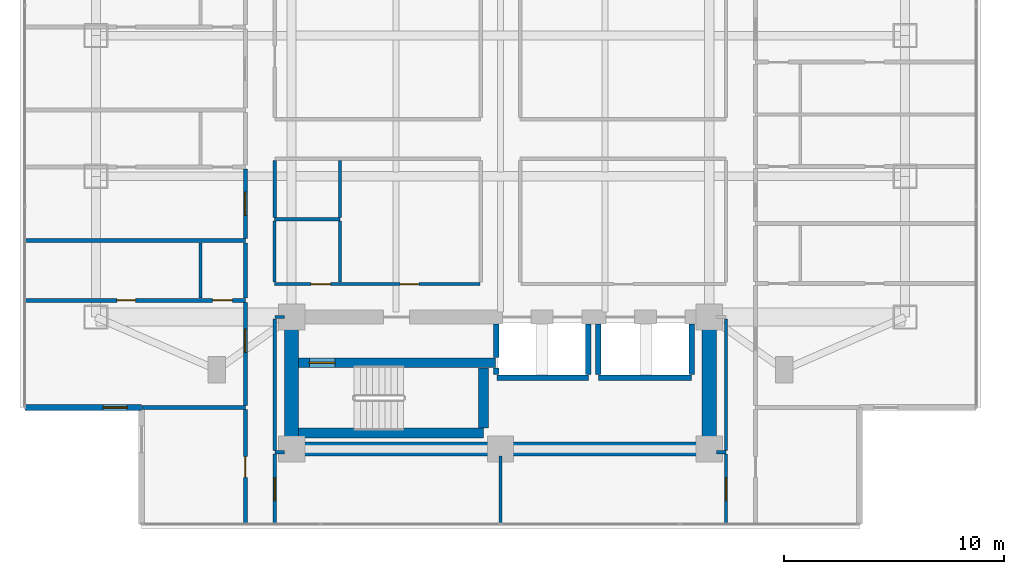
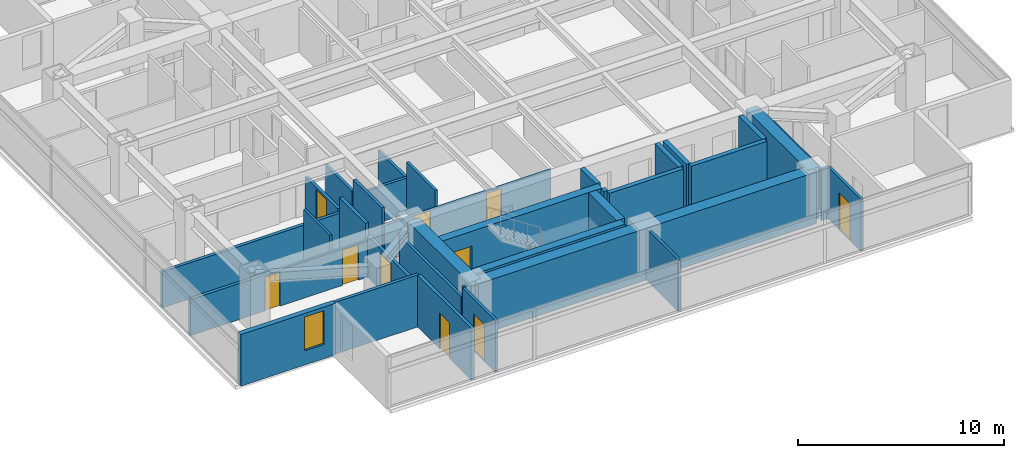
# One storey, part 12 of 25: 36 walls, 10 doors, 1 window, 11 openings.
"""IFC4 building model written with IfcOpenShell, lengths in metres."""

from ifc_helpers import new_model, si_unit, direction, frame, frame_2d, origin, place, context, subcontext, project, spatial, rectangle, extrude, material, layer, layer_set, type_object, element, fill, save


model = new_model("IFC4")

# Units and contexts
model_context = context("Model", 3, precision=1e-05, world=origin(), true_north=direction((0.0, 1.0)))
body_context = subcontext(model_context, "Body", "Model", "MODEL_VIEW")
ifc_project = project(units=[si_unit("LENGTHUNIT", "METRE"), si_unit("AREAUNIT", "SQUARE_METRE"), si_unit("VOLUMEUNIT", "CUBIC_METRE"), si_unit("PLANEANGLEUNIT", "RADIAN"), si_unit("MASSUNIT", "GRAM", prefix="KILO")], contexts=[model_context])

# Site, building, storey
site_placement = place(None, origin())
site = spatial("IfcSite", under=ifc_project, at=site_placement, CompositionType="ELEMENT")
building_placement = place(site_placement, origin())
building = spatial("IfcBuilding", under=site, at=building_placement, Name="Mirazonda Arch Towers", CompositionType="ELEMENT")
storey_placement = place(building_placement, frame((0.0, 0.0, 104.89990234375)))
storey = spatial("IfcBuildingStorey", under=building, at=storey_placement, Name="L29", CompositionType="ELEMENT", Elevation=104.89990234375)

# Wall
ifc_material_1 = material(Name="Concrete C50/60", Category="concrete")
ifc_layer_1 = layer(ifc_material_1, 0.449951171875, Name="WALL-CORE-450")
ifc_layer_set_1 = layer_set([ifc_layer_1], Name="Concrete C50/60")
wall_type_1 = type_object("IfcWallType", Name="WALL-CORE-450", PredefinedType="SHEAR", material=ifc_layer_set_1)
wall_1_placement = place(storey_placement, frame((11.320068359375, 13.1201171875, 0.0), z_axis=(0.0, 0.0, 1.0), x_axis=(1.0, 0.0, 0.0)))
element("IfcWall", 1, at=wall_1_placement, inside=storey, type_object=wall_type_1, Name="L29 Stair Core Shear Wall 003", PredefinedType="SHEAR", context=body_context, shape_type="SweptSolid", body=[
    extrude(rectangle(XDim=8.409912109375, YDim=0.449951171875, at=frame_2d((4.205078125, 0.0))), origin(), (0.0, 0.0, 1.0), 3.080078125),
])

# Wall, opening, door
wall_2_placement = place(storey_placement, frame((11.320068359375, 16.320068359375, 0.0), z_axis=(0.0, 0.0, 1.0), x_axis=(1.0, 0.0, 0.0)))
wall_2 = element("IfcWall", 2, at=wall_2_placement, inside=storey, type_object=wall_type_1, Name="L29 Stair Core Shear Wall 008", PredefinedType="SHEAR", context=body_context, shape_type="SweptSolid", body=[
    extrude(rectangle(XDim=8.9599609375, YDim=0.449951171875, at=frame_2d((4.47998046875, 0.0))), origin(), (0.0, 0.0, 1.0), 3.080078125),
])
opening_1_placement = place(wall_2_placement, frame((0.4951171875, 0.0, 0.0)))
opening_1 = element("IfcOpeningElement", 3, at=opening_1_placement, cuts=wall_2, Name="Opening DR-135", PredefinedType="OPENING", context=body_context, shape_type="SweptSolid", body=[
    extrude(rectangle(XDim=1.14990234375, YDim=2.199951171875, at=frame_2d((0.574951171875, 1.10009765625))), frame((0.0, 0.23486328125, 0.0), z_axis=(0.0, -1.0, 0.0), x_axis=(1.0, 0.0, 0.0)), (0.0, 0.0, 1.0), 0.469970703125),
])
ifc_material_2 = material(Name="Architectural Brushed Steel S355", Category="steel")
door_type_1 = type_object("IfcDoorType", Name="DOOR-STAIR-FD90-1150", OperationType="NOTDEFINED", PredefinedType="DOOR", material=ifc_material_2)
door_1_placement = place(opening_1_placement, origin())
door_1 = element("IfcDoor", 4, at=door_1_placement, inside=storey, type_object=door_type_1, Name="L29 Protected Exit Stair South Door", OperationType="SINGLE_SWING_LEFT", OverallHeight=2.199951171875, OverallWidth=1.14990234375, PredefinedType="DOOR", context=body_context, shape_type="SweptSolid", body=[
    extrude(rectangle(XDim=1.14990234375, YDim=2.199951171875, at=frame_2d((0.574951171875, 1.10009765625))), frame((0.0, 0.02490234375, 0.0), z_axis=(0.0, -1.0, 0.0), x_axis=(1.0, 0.0, 0.0)), (0.0, 0.0, 1.0), 0.050048828125),
])
fill(opening_1, door_1)

# Walls
wall_3_placement = place(storey_placement, frame((19.72998046875, 13.35498046875, 0.0), z_axis=(0.0, 0.0, 1.0), x_axis=(0.0, 1.0, 0.0)))
element("IfcWall", 5, at=wall_3_placement, inside=storey, type_object=wall_type_1, Name="L29 Stair Core Shear Wall 095", PredefinedType="SHEAR", context=body_context, shape_type="SweptSolid", body=[
    extrude(rectangle(XDim=2.72998046875, YDim=0.449951171875, at=frame_2d((1.364990234375, 0.0))), origin(), (0.0, 0.0, 1.0), 3.080078125),
])
ifc_material_3 = material(Name="Concrete C60/75", Category="concrete")
ifc_layer_2 = layer(ifc_material_3, 0.64990234375, Name="WALL-CORE-650")
ifc_layer_set_2 = layer_set([ifc_layer_2], Name="Concrete C60/75")
wall_type_2 = type_object("IfcWallType", Name="WALL-CORE-650", PredefinedType="SHEAR", material=ifc_layer_set_2)
wall_4_placement = place(storey_placement, frame((11.0, 12.39990234375, 0.0), z_axis=(0.0, 0.0, 1.0), x_axis=(1.0, 0.0, 0.0)))
element("IfcWall", 6, at=wall_4_placement, inside=storey, type_object=wall_type_2, Name="L29 T1S-S Core Shear Wall", PredefinedType="SHEAR", context=body_context, shape_type="SweptSolid", body=[
    extrude(rectangle(XDim=19.0, YDim=0.64990234375, at=frame_2d((9.5, 0.0))), origin(), (0.0, 0.0, 1.0), 3.080078125),
])
for number, where, z_axis, x_axis, name in (
    (7, (11.0, 12.39990234375, 0.0), (0.0, 0.0, 1.0), (0.0, 1.0, 0.0), "L29 T1S-W Core Shear Wall"),
    (8, (30.0, 12.39990234375, 0.0), (0.0, 0.0, 1.0), (0.0, 1.0, 0.0), "L29 T1S-E Core Shear Wall"),
):
    element("IfcWall", number, at=place(storey_placement, frame(where, z_axis=z_axis, x_axis=x_axis)), inside=storey, type_object=wall_type_2, Name=name, PredefinedType="SHEAR", context=body_context, shape_type="SweptSolid", body=[
        extrude(rectangle(XDim=6.0, YDim=0.64990234375, at=frame_2d((3.0, 0.0))), origin(), (0.0, 0.0, 1.0), 3.080078125),
    ])

# Wall, opening, window
ifc_material_4 = material(Name="Precast Concrete C40/50", Category="concrete")
ifc_layer_3 = layer(ifc_material_4, 0.280029296875, Name="WALL-EXT-WALL-280")
ifc_layer_set_3 = layer_set([ifc_layer_3], Name="Precast Concrete C40/50")
wall_type_3 = type_object("IfcWallType", Name="WALL-EXT-WALL-280", PredefinedType="SOLIDWALL", material=ifc_layer_set_3)
wall_5_placement = place(storey_placement, frame((-1.1298828125, 14.284912109375, 0.0), z_axis=(0.0, 0.0, 1.0), x_axis=(1.0, 0.0, 0.0)))
wall_5 = element("IfcWall", 9, at=wall_5_placement, inside=storey, type_object=wall_type_3, Name="L29 T1 Corner Notch Return Wall WL-L29-T1-CSW2", PredefinedType="SOLIDWALL", context=body_context, shape_type="SweptSolid", body=[
    extrude(rectangle(XDim=5.304931640625, YDim=0.280029296875, at=frame_2d((2.65234375, 0.0))), origin(), (0.0, 0.0, 1.0), 3.06005859375),
])
opening_2_placement = place(wall_5_placement, frame((3.554931640625, 0.0, 0.85009765625)))
opening_2 = element("IfcOpeningElement", 10, at=opening_2_placement, cuts=wall_5, Name="Opening WN-108", PredefinedType="OPENING", context=body_context, shape_type="SweptSolid", body=[
    extrude(rectangle(XDim=1.10009765625, YDim=2.0, at=frame_2d((0.550048828125, 1.0))), frame((0.0, 0.14990234375, 0.0), z_axis=(0.0, -1.0, 0.0), x_axis=(1.0, 0.0, 0.0)), (0.0, 0.0, 1.0), 0.300048828125),
])
ifc_material_5 = material(Name="Insulated Low-E Solar Glass", Category="glass")
window_type = type_object("IfcWindowType", Name="WIN-NOTCH-1100x2000", PartitioningType="SINGLE_PANEL", PredefinedType="WINDOW", material=ifc_material_5)
window_placement = place(opening_2_placement, origin())
window = element("IfcWindow", 11, at=window_placement, inside=storey, type_object=window_type, Name="L29 Punched Facade Window WN-L29-T1-CSW2", OverallHeight=2.0, OverallWidth=1.10009765625, PartitioningType="SINGLE_PANEL", PredefinedType="WINDOW", context=body_context, shape_type="SweptSolid", body=[
    extrude(rectangle(XDim=1.10009765625, YDim=2.0, at=frame_2d((0.550048828125, 1.0))), frame((0.0, 0.030029296875, 0.0), z_axis=(0.0, -1.0, 0.0), x_axis=(1.0, 0.0, 0.0)), (0.0, 0.0, 1.0), 0.06005859375),
])
fill(opening_2, window)

# Walls
ifc_material_6 = material(Name="Fire-Rated Gypsum Stud Partition")
ifc_layer_4 = layer(ifc_material_6, 0.14990234375, Name="WALL-PART-CORR-150")
ifc_layer_set_4 = layer_set([ifc_layer_4], Name="Fire-Rated Gypsum Stud Partition")
wall_type_4 = type_object("IfcWallType", Name="WALL-PART-CORR-150", PredefinedType="PARTITIONING", material=ifc_layer_set_4)
for number, where, z_axis, x_axis, name in (
    (12, (10.239990234375, 12.25, 0.0), (0.0, 0.0, 1.0), (1.0, 0.0, 0.0), "L29 Interior Partition 001"),
    (13, (30.320068359375, 12.25, 0.0), (0.0, 0.0, 1.0), (1.0, 0.0, 0.0), "L29 Interior Partition 002"),
):
    element("IfcWall", number, at=place(storey_placement, frame(where, z_axis=z_axis, x_axis=x_axis)), inside=storey, type_object=wall_type_4, Name=name, PredefinedType="PARTITIONING", context=body_context, shape_type="SweptSolid", body=[
        extrude(rectangle(XDim=0.43994140625, YDim=0.14990234375, at=frame_2d((0.219970703125, 0.0))), origin(), (0.0, 0.0, 1.0), 3.080078125),
    ])
wall_6_placement = place(storey_placement, frame((10.239990234375, 18.39990234375, 0.0), z_axis=(0.0, 0.0, 1.0), x_axis=(1.0, 0.0, 0.0)))
element("IfcWall", 14, at=wall_6_placement, inside=storey, type_object=wall_type_4, Name="L29 Interior Partition 012", PredefinedType="PARTITIONING", context=body_context, shape_type="SweptSolid", body=[
    extrude(rectangle(XDim=0.43994140625, YDim=0.14990234375, at=frame_2d((0.219970703125, 0.0))), origin(), (0.0, 0.0, 1.0), 2.4560546875),
])

# Wall, openings, doors
wall_7_placement = place(storey_placement, frame((10.219970703125, 19.89990234375, 0.0), z_axis=(0.0, 0.0, 1.0), x_axis=(1.0, 0.0, 0.0)))
wall_7 = element("IfcWall", 15, at=wall_7_placement, inside=storey, type_object=wall_type_4, Name="L29 Interior Partition 016", PredefinedType="PARTITIONING", context=body_context, shape_type="SweptSolid", body=[
    extrude(rectangle(XDim=9.340087890625, YDim=0.14990234375, at=frame_2d((4.669921875, 0.0))), origin(), (0.0, 0.0, 1.0), 2.1240234375),
])
opening_3_placement = place(wall_7_placement, frame((1.659912109375, 0.0, 0.0)))
opening_3 = element("IfcOpeningElement", 16, at=opening_3_placement, cuts=wall_7, Name="Opening DR-120", PredefinedType="OPENING", context=body_context, shape_type="SweptSolid", body=[
    extrude(rectangle(XDim=0.89990234375, YDim=2.10009765625, at=frame_2d((0.449951171875, 1.050048828125))), frame((0.0, 0.0849609375, 0.0), z_axis=(0.0, -1.0, 0.0), x_axis=(1.0, 0.0, 0.0)), (0.0, 0.0, 1.0), 0.169921875),
])
opening_4_placement = place(wall_7_placement, frame((5.715087890625, 0.0, 0.0)))
opening_4 = element("IfcOpeningElement", 17, at=opening_4_placement, cuts=wall_7, Name="Opening DR-128", PredefinedType="OPENING", context=body_context, shape_type="SweptSolid", body=[
    extrude(rectangle(XDim=0.85009765625, YDim=2.010009765625, at=frame_2d((0.425048828125, 1.0048828125))), frame((0.0, 0.0849609375, 0.0), z_axis=(0.0, -1.0, 0.0), x_axis=(1.0, 0.0, 0.0)), (0.0, 0.0, 1.0), 0.169921875),
])
door_type_2 = type_object("IfcDoorType", Name="DOOR-RISER-FD60-850", OperationType="NOTDEFINED", PredefinedType="DOOR", material=ifc_material_2)
door_2_placement = place(opening_4_placement, origin())
door_2 = element("IfcDoor", 18, at=door_2_placement, inside=storey, type_object=door_type_2, Name="L29 L29 West Courtyard Study Door", OperationType="SINGLE_SWING_LEFT", OverallHeight=2.010009765625, OverallWidth=0.85009765625, PredefinedType="DOOR", context=body_context, shape_type="SweptSolid", body=[
    extrude(rectangle(XDim=0.85009765625, YDim=2.010009765625, at=frame_2d((0.425048828125, 1.0048828125))), frame((0.0, 0.02490234375, 0.0), z_axis=(0.0, -1.0, 0.0), x_axis=(1.0, 0.0, 0.0)), (0.0, 0.0, 1.0), 0.050048828125),
])
fill(opening_4, door_2)
door_type_3 = type_object("IfcDoorType", Name="DOOR-WC-900", OperationType="NOTDEFINED", PredefinedType="DOOR", material=ifc_material_2)
door_3_placement = place(opening_3_placement, origin())
door_3 = element("IfcDoor", 19, at=door_3_placement, inside=storey, type_object=door_type_3, Name="L29 Common Accessible WC Door", OperationType="SINGLE_SWING_RIGHT", OverallHeight=2.10009765625, OverallWidth=0.89990234375, PredefinedType="DOOR", context=body_context, shape_type="SweptSolid", body=[
    extrude(rectangle(XDim=0.89990234375, YDim=2.10009765625, at=frame_2d((0.449951171875, 1.050048828125))), frame((0.0, 0.02490234375, 0.0), z_axis=(0.0, -1.0, 0.0), x_axis=(1.0, 0.0, 0.0)), (0.0, 0.0, 1.0), 0.050048828125),
])
fill(opening_3, door_3)

# Walls
wall_8_placement = place(storey_placement, frame((10.219970703125, 22.85009765625, 0.0), z_axis=(0.0, 0.0, 1.0), x_axis=(1.0, 0.0, 0.0)))
element("IfcWall", 20, at=wall_8_placement, inside=storey, type_object=wall_type_4, Name="L29 Interior Partition 026", PredefinedType="PARTITIONING", context=body_context, shape_type="SweptSolid", body=[
    extrude(rectangle(XDim=2.97998046875, YDim=0.14990234375, at=frame_2d((1.489990234375, 0.0))), origin(), (0.0, 0.0, 1.0), 2.1240234375),
])
wall_9_placement = place(storey_placement, frame((10.219970703125, 19.985107421875, 0.0), z_axis=(0.0, 0.0, 1.0), x_axis=(0.0, 1.0, 0.0)))
element("IfcWall", 21, at=wall_9_placement, inside=storey, type_object=wall_type_4, Name="L29 Interior Partition 081", PredefinedType="PARTITIONING", context=body_context, shape_type="SweptSolid", body=[
    extrude(rectangle(XDim=2.77978515625, YDim=0.14990234375, at=frame_2d((1.389892578125, 0.0))), origin(), (0.0, 0.0, 1.0), 3.080078125),
])

# Wall, opening, door
wall_10_placement = place(storey_placement, frame((10.239990234375, 8.97998046875, 0.0), z_axis=(0.0, 0.0, 1.0), x_axis=(0.0, 1.0, 0.0)))
wall_10 = element("IfcWall", 22, at=wall_10_placement, inside=storey, type_object=wall_type_4, Name="L29 Interior Partition 082", PredefinedType="PARTITIONING", context=body_context, shape_type="SweptSolid", body=[
    extrude(rectangle(XDim=3.18505859375, YDim=0.14990234375, at=frame_2d((1.592529296875, 0.0))), origin(), (0.0, 0.0, 1.0), 3.080078125),
])
opening_5_placement = place(wall_10_placement, frame((1.0673828125, 0.0, 0.0)))
opening_5 = element("IfcOpeningElement", 23, at=opening_5_placement, cuts=wall_10, Name="Opening DR-121", PredefinedType="OPENING", context=body_context, shape_type="SweptSolid", body=[
    extrude(rectangle(XDim=1.050048828125, YDim=2.199951171875, at=frame_2d((0.52490234375, 1.10009765625))), frame((0.0, 0.0849609375, 0.0), z_axis=(0.0, -1.0, 0.0), x_axis=(1.0, 0.0, 0.0)), (0.0, 0.0, 1.0), 0.169921875),
])
door_type_4 = type_object("IfcDoorType", Name="DOOR-SUITE-FD60-1050", OperationType="NOTDEFINED", PredefinedType="DOOR", material=ifc_material_2)
door_4_placement = place(opening_5_placement, origin())
door_4 = element("IfcDoor", 24, at=door_4_placement, inside=storey, type_object=door_type_4, Name="L29 South Horizon Lounge West Door", OperationType="SINGLE_SWING_LEFT", OverallHeight=2.199951171875, OverallWidth=1.050048828125, PredefinedType="DOOR", context=body_context, shape_type="SweptSolid", body=[
    extrude(rectangle(XDim=1.050048828125, YDim=2.199951171875, at=frame_2d((0.52490234375, 1.10009765625))), frame((0.0, 0.02490234375, 0.0), z_axis=(0.0, -1.0, 0.0), x_axis=(1.0, 0.0, 0.0)), (0.0, 0.0, 1.0), 0.050048828125),
])
fill(opening_5, door_4)

# Walls
wall_11_placement = place(storey_placement, frame((10.239990234375, 12.3349609375, 0.0), z_axis=(0.0, 0.0, 1.0), x_axis=(0.0, 1.0, 0.0)))
element("IfcWall", 25, at=wall_11_placement, inside=storey, type_object=wall_type_4, Name="L29 Interior Partition 083", PredefinedType="PARTITIONING", context=body_context, shape_type="SweptSolid", body=[
    extrude(rectangle(XDim=5.97998046875, YDim=0.14990234375, at=frame_2d((2.989990234375, 0.0))), origin(), (0.0, 0.0, 1.0), 2.4560546875),
])
wall_12_placement = place(storey_placement, frame((10.239990234375, 22.93505859375, 0.0), z_axis=(0.0, 0.0, 1.0), x_axis=(0.0, 1.0, 0.0)))
element("IfcWall", 26, at=wall_12_placement, inside=storey, type_object=wall_type_4, Name="L29 Interior Partition 084", PredefinedType="PARTITIONING", context=body_context, shape_type="SweptSolid", body=[
    extrude(rectangle(XDim=2.579833984375, YDim=0.14990234375, at=frame_2d((1.2900390625, 0.0))), origin(), (0.0, 0.0, 1.0), 2.299072265625),
])
wall_13_placement = place(storey_placement, frame((13.199951171875, 19.985107421875, 0.0), z_axis=(0.0, 0.0, 1.0), x_axis=(0.0, 1.0, 0.0)))
element("IfcWall", 27, at=wall_13_placement, inside=storey, type_object=wall_type_4, Name="L29 Interior Partition 089", PredefinedType="PARTITIONING", context=body_context, shape_type="SweptSolid", body=[
    extrude(rectangle(XDim=2.77978515625, YDim=0.14990234375, at=frame_2d((1.389892578125, 0.0))), origin(), (0.0, 0.0, 1.0), 3.080078125),
])
wall_14_placement = place(storey_placement, frame((13.199951171875, 22.93505859375, 0.0), z_axis=(0.0, 0.0, 1.0), x_axis=(0.0, 1.0, 0.0)))
element("IfcWall", 28, at=wall_14_placement, inside=storey, type_object=wall_type_4, Name="L29 Interior Partition 090", PredefinedType="PARTITIONING", context=body_context, shape_type="SweptSolid", body=[
    extrude(rectangle(XDim=2.579833984375, YDim=0.14990234375, at=frame_2d((1.2900390625, 0.0))), origin(), (0.0, 0.0, 1.0), 2.1240234375),
])
wall_15_placement = place(storey_placement, frame((20.5, 8.97998046875, 0.0), z_axis=(0.0, 0.0, 1.0), x_axis=(0.0, 1.0, 0.0)))
element("IfcWall", 29, at=wall_15_placement, inside=storey, type_object=wall_type_4, Name="L29 Interior Partition 100", PredefinedType="PARTITIONING", context=body_context, shape_type="SweptSolid", body=[
    extrude(rectangle(XDim=3.10009765625, YDim=0.14990234375, at=frame_2d((1.550048828125, 0.0))), origin(), (0.0, 0.0, 1.0), 3.080078125),
])

# Wall, opening, door
wall_16_placement = place(storey_placement, frame((30.760009765625, 8.97998046875, 0.0), z_axis=(0.0, 0.0, 1.0), x_axis=(0.0, 1.0, 0.0)))
wall_16 = element("IfcWall", 30, at=wall_16_placement, inside=storey, type_object=wall_type_4, Name="L29 Interior Partition 114", PredefinedType="PARTITIONING", context=body_context, shape_type="SweptSolid", body=[
    extrude(rectangle(XDim=3.18505859375, YDim=0.14990234375, at=frame_2d((1.592529296875, 0.0))), origin(), (0.0, 0.0, 1.0), 3.080078125),
])
opening_6_placement = place(wall_16_placement, frame((1.0673828125, 0.0, 0.0)))
opening_6 = element("IfcOpeningElement", 31, at=opening_6_placement, cuts=wall_16, Name="Opening DR-121", PredefinedType="OPENING", context=body_context, shape_type="SweptSolid", body=[
    extrude(rectangle(XDim=1.050048828125, YDim=2.199951171875, at=frame_2d((0.52490234375, 1.10009765625))), frame((0.0, 0.0849609375, 0.0), z_axis=(0.0, -1.0, 0.0), x_axis=(1.0, 0.0, 0.0)), (0.0, 0.0, 1.0), 0.169921875),
])
door_5_placement = place(opening_6_placement, origin())
door_5 = element("IfcDoor", 32, at=door_5_placement, inside=storey, type_object=door_type_4, Name="L29 South Horizon Lounge East Door", OperationType="SINGLE_SWING_RIGHT", OverallHeight=2.199951171875, OverallWidth=1.050048828125, PredefinedType="DOOR", context=body_context, shape_type="SweptSolid", body=[
    extrude(rectangle(XDim=1.050048828125, YDim=2.199951171875, at=frame_2d((0.52490234375, 1.10009765625))), frame((0.0, 0.02490234375, 0.0), z_axis=(0.0, -1.0, 0.0), x_axis=(1.0, 0.0, 0.0)), (0.0, 0.0, 1.0), 0.050048828125),
])
fill(opening_6, door_5)

# Walls
wall_17_placement = place(storey_placement, frame((30.760009765625, 12.3349609375, 0.0), z_axis=(0.0, 0.0, 1.0), x_axis=(0.0, 1.0, 0.0)))
element("IfcWall", 33, at=wall_17_placement, inside=storey, type_object=wall_type_4, Name="L29 Interior Partition 115", PredefinedType="PARTITIONING", context=body_context, shape_type="SweptSolid", body=[
    extrude(rectangle(XDim=5.97998046875, YDim=0.14990234375, at=frame_2d((2.989990234375, 0.0))), origin(), (0.0, 0.0, 1.0), 2.4560546875),
])
ifc_material_7 = material(Name="Fire-Rated Gypsum Twin-Stud Assembly")
ifc_layer_5 = layer(ifc_material_7, 0.179931640625, Name="WALL-PART-DEMISE-180")
ifc_layer_set_5 = layer_set([ifc_layer_5], Name="Fire-Rated Gypsum Twin-Stud Assembly")
wall_type_5 = type_object("IfcWallType", Name="WALL-PART-DEMISE-180", PredefinedType="PARTITIONING", material=ifc_layer_set_5)
wall_18_placement = place(storey_placement, frame((4.195068359375, 14.284912109375, 0.0), z_axis=(0.0, 0.0, 1.0), x_axis=(1.0, 0.0, 0.0)))
element("IfcWall", 34, at=wall_18_placement, inside=storey, type_object=wall_type_5, Name="L29 Interior Partition 004", PredefinedType="PARTITIONING", context=body_context, shape_type="SweptSolid", body=[
    extrude(rectangle(XDim=4.704833984375, YDim=0.179931640625, at=frame_2d((2.3525390625, 0.0))), origin(), (0.0, 0.0, 1.0), 3.080078125),
])

# Wall, openings, doors
wall_19_placement = place(storey_placement, frame((-1.1298828125, 19.157958984375, 0.0), z_axis=(0.0, 0.0, 1.0), x_axis=(1.0, 0.0, 0.0)))
wall_19 = element("IfcWall", 35, at=wall_19_placement, inside=storey, type_object=wall_type_5, Name="L29 Interior Partition 015", PredefinedType="PARTITIONING", context=body_context, shape_type="SweptSolid", body=[
    extrude(rectangle(XDim=10.02978515625, YDim=0.179931640625, at=frame_2d((5.014892578125, 0.0))), origin(), (0.0, 0.0, 1.0), 2.14501953125),
])
opening_7_placement = place(wall_19_placement, frame((4.18994140625, 0.0, 0.0)))
opening_7 = element("IfcOpeningElement", 36, at=opening_7_placement, cuts=wall_19, Name="Opening DR-128", PredefinedType="OPENING", context=body_context, shape_type="SweptSolid", body=[
    extrude(rectangle(XDim=0.85009765625, YDim=2.010009765625, at=frame_2d((0.425048828125, 1.0048828125))), frame((0.0, 0.099853515625, 0.0), z_axis=(0.0, -1.0, 0.0), x_axis=(1.0, 0.0, 0.0)), (0.0, 0.0, 1.0), 0.199951171875),
])
opening_8_placement = place(wall_19_placement, frame((8.5400390625, 0.0, 0.0)))
opening_8 = element("IfcOpeningElement", 37, at=opening_8_placement, cuts=wall_19, Name="Opening DR-120", PredefinedType="OPENING", context=body_context, shape_type="SweptSolid", body=[
    extrude(rectangle(XDim=0.89990234375, YDim=2.10009765625, at=frame_2d((0.449951171875, 1.050048828125))), frame((0.0, 0.099853515625, 0.0), z_axis=(0.0, -1.0, 0.0), x_axis=(1.0, 0.0, 0.0)), (0.0, 0.0, 1.0), 0.199951171875),
])
door_6_placement = place(opening_7_placement, origin())
door_6 = element("IfcDoor", 38, at=door_6_placement, inside=storey, type_object=door_type_2, Name="L29 Suite Bedroom 1 Door", OperationType="SINGLE_SWING_RIGHT", OverallHeight=2.010009765625, OverallWidth=0.85009765625, PredefinedType="DOOR", context=body_context, shape_type="SweptSolid", body=[
    extrude(rectangle(XDim=0.85009765625, YDim=2.010009765625, at=frame_2d((0.425048828125, 1.0048828125))), frame((0.0, 0.02490234375, 0.0), z_axis=(0.0, -1.0, 0.0), x_axis=(1.0, 0.0, 0.0)), (0.0, 0.0, 1.0), 0.050048828125),
])
fill(opening_7, door_6)
door_7_placement = place(opening_8_placement, origin())
door_7 = element("IfcDoor", 39, at=door_7_placement, inside=storey, type_object=door_type_3, Name="L29 Suite En-Suite Bathroom 1 Door", OperationType="SINGLE_SWING_LEFT", OverallHeight=2.10009765625, OverallWidth=0.89990234375, PredefinedType="DOOR", context=body_context, shape_type="SweptSolid", body=[
    extrude(rectangle(XDim=0.89990234375, YDim=2.10009765625, at=frame_2d((0.449951171875, 1.050048828125))), frame((0.0, 0.02490234375, 0.0), z_axis=(0.0, -1.0, 0.0), x_axis=(1.0, 0.0, 0.0)), (0.0, 0.0, 1.0), 0.050048828125),
])
fill(opening_8, door_7)

# Wall
wall_20_placement = place(storey_placement, frame((-1.1298828125, 21.8779296875, 0.0), z_axis=(0.0, 0.0, 1.0), x_axis=(1.0, 0.0, 0.0)))
element("IfcWall", 40, at=wall_20_placement, inside=storey, type_object=wall_type_5, Name="L29 Interior Partition 023", PredefinedType="PARTITIONING", context=body_context, shape_type="SweptSolid", body=[
    extrude(rectangle(XDim=10.02978515625, YDim=0.179931640625, at=frame_2d((5.014892578125, 0.0))), origin(), (0.0, 0.0, 1.0), 2.14501953125),
])

# Wall, opening, door
wall_21_placement = place(storey_placement, frame((8.89990234375, 8.97998046875, 0.0), z_axis=(0.0, 0.0, 1.0), x_axis=(0.0, 1.0, 0.0)))
wall_21 = element("IfcWall", 41, at=wall_21_placement, inside=storey, type_object=wall_type_5, Name="L29 Interior Partition 071", PredefinedType="PARTITIONING", context=body_context, shape_type="SweptSolid", body=[
    extrude(rectangle(XDim=5.205078125, YDim=0.179931640625, at=frame_2d((2.6025390625, 0.0))), origin(), (0.0, 0.0, 1.0), 3.080078125),
])
opening_9_placement = place(wall_21_placement, frame((2.12744140625, 0.0, 0.0)))
opening_9 = element("IfcOpeningElement", 42, at=opening_9_placement, cuts=wall_21, Name="Opening DR-104", PredefinedType="OPENING", context=body_context, shape_type="SweptSolid", body=[
    extrude(rectangle(XDim=0.949951171875, YDim=2.14990234375, at=frame_2d((0.47509765625, 1.074951171875))), frame((0.0, 0.099853515625, 0.0), z_axis=(0.0, -1.0, 0.0), x_axis=(1.0, 0.0, 0.0)), (0.0, 0.0, 1.0), 0.199951171875),
])
door_type_5 = type_object("IfcDoorType", Name="DOOR-ROOM-950", OperationType="NOTDEFINED", PredefinedType="DOOR", material=ifc_material_2)
door_8_placement = place(opening_9_placement, origin())
door_8 = element("IfcDoor", 43, at=door_8_placement, inside=storey, type_object=door_type_5, Name="L29 South Horizon Lounge Alcove West Door", OperationType="SINGLE_SWING_LEFT", OverallHeight=2.14990234375, OverallWidth=0.949951171875, PredefinedType="DOOR", context=body_context, shape_type="SweptSolid", body=[
    extrude(rectangle(XDim=0.949951171875, YDim=2.14990234375, at=frame_2d((0.47509765625, 1.074951171875))), frame((0.0, 0.02490234375, 0.0), z_axis=(0.0, -1.0, 0.0), x_axis=(1.0, 0.0, 0.0)), (0.0, 0.0, 1.0), 0.050048828125),
])
fill(opening_9, door_8)

wall_22_placement = place(storey_placement, frame((8.89990234375, 14.385009765625, 0.0), z_axis=(0.0, 0.0, 1.0), x_axis=(0.0, 1.0, 0.0)))
wall_22 = element("IfcWall", 44, at=wall_22_placement, inside=storey, type_object=wall_type_5, Name="L29 Interior Partition 072", PredefinedType="PARTITIONING", context=body_context, shape_type="SweptSolid", body=[
    extrude(rectangle(XDim=4.673095703125, YDim=0.179931640625, at=frame_2d((2.33642578125, 0.0))), origin(), (0.0, 0.0, 1.0), 2.4560546875),
])
opening_10_placement = place(wall_22_placement, frame((2.41162109375, 0.0, 0.0)))
opening_10 = element("IfcOpeningElement", 45, at=opening_10_placement, cuts=wall_22, Name="Opening DR-121", PredefinedType="OPENING", context=body_context, shape_type="SweptSolid", body=[
    extrude(rectangle(XDim=1.050048828125, YDim=2.199951171875, at=frame_2d((0.52490234375, 1.10009765625))), frame((0.0, 0.099853515625, 0.0), z_axis=(0.0, -1.0, 0.0), x_axis=(1.0, 0.0, 0.0)), (0.0, 0.0, 1.0), 0.199951171875),
])
door_9_placement = place(opening_10_placement, origin())
door_9 = element("IfcDoor", 46, at=door_9_placement, inside=storey, type_object=door_type_4, Name="L29 Panoramic Suite Salon 1 Door", OperationType="SINGLE_SWING_LEFT", OverallHeight=2.199951171875, OverallWidth=1.050048828125, PredefinedType="DOOR", context=body_context, shape_type="SweptSolid", body=[
    extrude(rectangle(XDim=1.050048828125, YDim=2.199951171875, at=frame_2d((0.52490234375, 1.10009765625))), frame((0.0, 0.02490234375, 0.0), z_axis=(0.0, -1.0, 0.0), x_axis=(1.0, 0.0, 0.0)), (0.0, 0.0, 1.0), 0.050048828125),
])
fill(opening_10, door_9)

# Wall
wall_23_placement = place(storey_placement, frame((8.89990234375, 19.258056640625, 0.0), z_axis=(0.0, 0.0, 1.0), x_axis=(0.0, 1.0, 0.0)))
element("IfcWall", 47, at=wall_23_placement, inside=storey, type_object=wall_type_5, Name="L29 Interior Partition 073", PredefinedType="PARTITIONING", context=body_context, shape_type="SweptSolid", body=[
    extrude(rectangle(XDim=2.52001953125, YDim=0.179931640625, at=frame_2d((1.260009765625, 0.0))), origin(), (0.0, 0.0, 1.0), 3.080078125),
])

# Wall, opening, door
wall_24_placement = place(storey_placement, frame((8.89990234375, 21.97802734375, 0.0), z_axis=(0.0, 0.0, 1.0), x_axis=(0.0, 1.0, 0.0)))
wall_24 = element("IfcWall", 48, at=wall_24_placement, inside=storey, type_object=wall_type_5, Name="L29 Interior Partition 074", PredefinedType="PARTITIONING", context=body_context, shape_type="SweptSolid", body=[
    extrude(rectangle(XDim=3.14599609375, YDim=0.179931640625, at=frame_2d((1.572998046875, 0.0))), origin(), (0.0, 0.0, 1.0), 2.299072265625),
])
opening_11_placement = place(wall_24_placement, frame((1.048095703125, 0.0, 0.0)))
opening_11 = element("IfcOpeningElement", 49, at=opening_11_placement, cuts=wall_24, Name="Opening DR-121", PredefinedType="OPENING", context=body_context, shape_type="SweptSolid", body=[
    extrude(rectangle(XDim=1.050048828125, YDim=2.199951171875, at=frame_2d((0.52490234375, 1.10009765625))), frame((0.0, 0.099853515625, 0.0), z_axis=(0.0, -1.0, 0.0), x_axis=(1.0, 0.0, 0.0)), (0.0, 0.0, 1.0), 0.199951171875),
])
door_10_placement = place(opening_11_placement, origin())
door_10 = element("IfcDoor", 50, at=door_10_placement, inside=storey, type_object=door_type_4, Name="L29 Deluxe Suite Living Room 2 Door", OperationType="SINGLE_SWING_RIGHT", OverallHeight=2.199951171875, OverallWidth=1.050048828125, PredefinedType="DOOR", context=body_context, shape_type="SweptSolid", body=[
    extrude(rectangle(XDim=1.050048828125, YDim=2.199951171875, at=frame_2d((0.52490234375, 1.10009765625))), frame((0.0, 0.02490234375, 0.0), z_axis=(0.0, -1.0, 0.0), x_axis=(1.0, 0.0, 0.0)), (0.0, 0.0, 1.0), 0.050048828125),
])
fill(opening_11, door_10)

# Walls
ifc_material_8 = material(Name="Acoustic Fire-Rated Gypsum Partition")
ifc_layer_6 = layer(ifc_material_8, 0.125, Name="WALL-PART-UNIT-125")
ifc_layer_set_6 = layer_set([ifc_layer_6], Name="Acoustic Fire-Rated Gypsum Partition")
wall_type_6 = type_object("IfcWallType", Name="WALL-PART-UNIT-125", PredefinedType="PARTITIONING", material=ifc_layer_set_6)
wall_25_placement = place(storey_placement, frame((6.860107421875, 19.258056640625, 0.0), z_axis=(0.0, 0.0, 1.0), x_axis=(0.0, 1.0, 0.0)))
element("IfcWall", 51, at=wall_25_placement, inside=storey, type_object=wall_type_6, Name="L29 Interior Partition 067", PredefinedType="PARTITIONING", context=body_context, shape_type="SweptSolid", body=[
    extrude(rectangle(XDim=2.52001953125, YDim=0.125, at=frame_2d((1.260009765625, 0.0))), origin(), (0.0, 0.0, 1.0), 3.080078125),
])
ifc_material_9 = material(Name="Concrete C40/50", Category="concrete")
ifc_layer_7 = layer(ifc_material_9, 0.25, Name="WALL-SHAFT-250")
ifc_layer_set_7 = layer_set([ifc_layer_7], Name="Concrete C40/50")
wall_type_7 = type_object("IfcWallType", Name="WALL-SHAFT-250", PredefinedType="SOLIDWALL", material=ifc_layer_set_7)
wall_26_placement = place(storey_placement, frame((20.35009765625, 15.64990234375, 0.0), z_axis=(0.0, 0.0, 1.0), x_axis=(1.0, 0.0, 0.0)))
element("IfcWall", 52, at=wall_26_placement, inside=storey, type_object=wall_type_7, Name="L29 Interior Partition 006", PredefinedType="SOLIDWALL", context=body_context, shape_type="SweptSolid", body=[
    extrude(rectangle(XDim=4.14990234375, YDim=0.25, at=frame_2d((2.074951171875, 0.0))), origin(), (0.0, 0.0, 1.0), 3.080078125),
])
wall_27_placement = place(storey_placement, frame((24.949951171875, 15.64990234375, 0.0), z_axis=(0.0, 0.0, 1.0), x_axis=(1.0, 0.0, 0.0)))
element("IfcWall", 53, at=wall_27_placement, inside=storey, type_object=wall_type_7, Name="L29 Interior Partition 007", PredefinedType="SOLIDWALL", context=body_context, shape_type="SweptSolid", body=[
    extrude(rectangle(XDim=4.25, YDim=0.25, at=frame_2d((2.125, 0.0))), origin(), (0.0, 0.0, 1.0), 3.080078125),
])
wall_28_placement = place(storey_placement, frame((20.31494140625, 15.784912109375, 0.0), z_axis=(0.0, 0.0, 1.0), x_axis=(0.0, 1.0, 0.0)))
element("IfcWall", 54, at=wall_28_placement, inside=storey, type_object=wall_type_7, Name="L29 Interior Partition 097", PredefinedType="SOLIDWALL", context=body_context, shape_type="SweptSolid", body=[
    extrude(rectangle(XDim=0.300048828125, YDim=0.25, at=frame_2d((0.14990234375, 0.0))), origin(), (0.0, 0.0, 1.0), 3.080078125),
])
wall_29_placement = place(storey_placement, frame((20.31494140625, 16.554931640625, 0.0), z_axis=(0.0, 0.0, 1.0), x_axis=(0.0, 1.0, 0.0)))
element("IfcWall", 55, at=wall_29_placement, inside=storey, type_object=wall_type_7, Name="L29 Interior Partition 098", PredefinedType="SOLIDWALL", context=body_context, shape_type="SweptSolid", body=[
    extrude(rectangle(XDim=1.525146484375, YDim=0.25, at=frame_2d((0.7626953125, 0.0))), origin(), (0.0, 0.0, 1.0), 3.080078125),
])
for number, where, z_axis, x_axis, name in (
    (56, (24.5, 15.784912109375, 0.0), (0.0, 0.0, 1.0), (0.0, 1.0, 0.0), "L29 Interior Partition 104"),
    (57, (24.949951171875, 15.784912109375, 0.0), (0.0, 0.0, 1.0), (0.0, 1.0, 0.0), "L29 Interior Partition 106"),
    (58, (29.199951171875, 15.784912109375, 0.0), (0.0, 0.0, 1.0), (0.0, 1.0, 0.0), "L29 Interior Partition 111"),
):
    element("IfcWall", number, at=place(storey_placement, frame(where, z_axis=z_axis, x_axis=x_axis)), inside=storey, type_object=wall_type_7, Name=name, PredefinedType="SOLIDWALL", context=body_context, shape_type="SweptSolid", body=[
        extrude(rectangle(XDim=2.295166015625, YDim=0.25, at=frame_2d((1.1474609375, 0.0))), origin(), (0.0, 0.0, 1.0), 3.080078125),
    ])

save(model, "model.ifc")
